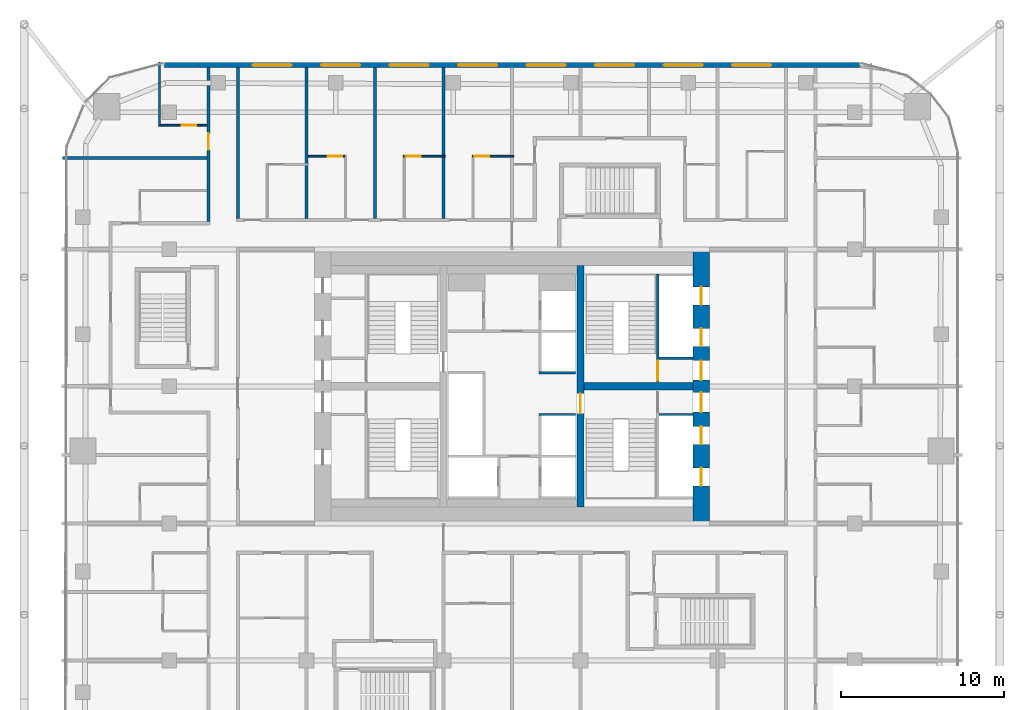
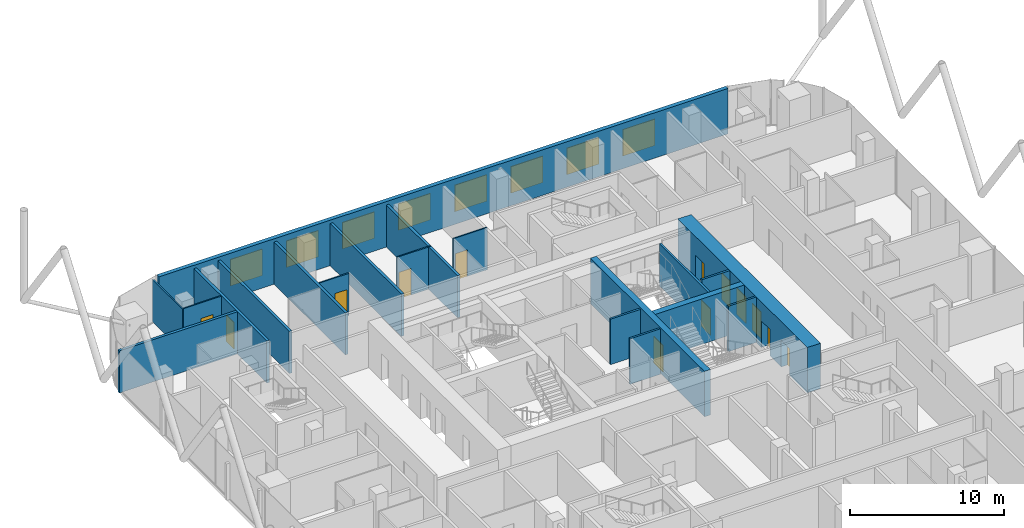
# One storey, part 29 of 33: 20 walls, 13 doors, 8 windows, 21 openings.
"""IFC4 building model written with IfcOpenShell, lengths in metres."""

from ifc_helpers import new_model, si_unit, direction, frame, frame_2d, origin, place, context, subcontext, project, spatial, rectangle, extrude, material, layer, layer_set, type_object, element, fill, save


model = new_model("IFC4")

# Units and contexts
model_context = context("Model", 3, precision=1e-05, world=origin(), true_north=direction((0.0, 1.0)))
body_context = subcontext(model_context, "Body", "Model", "MODEL_VIEW")
ifc_project = project(units=[si_unit("LENGTHUNIT", "METRE"), si_unit("AREAUNIT", "SQUARE_METRE"), si_unit("VOLUMEUNIT", "CUBIC_METRE"), si_unit("PLANEANGLEUNIT", "RADIAN"), si_unit("MASSUNIT", "GRAM", prefix="KILO")], contexts=[model_context])

# Site, building, storey
site_placement = place(None, origin())
site = spatial("IfcSite", under=ifc_project, at=site_placement, CompositionType="ELEMENT")
building_placement = place(site_placement, origin())
building = spatial("IfcBuilding", under=site, at=building_placement, Name="Marenta Gate Hotel Tower", CompositionType="ELEMENT")
storey_placement = place(building_placement, frame((0.0, 0.0, 122.89990234375)))
storey = spatial("IfcBuildingStorey", under=building, at=storey_placement, Name="L27", CompositionType="ELEMENT", Elevation=122.89990234375)

# Wall, openings, windows
ifc_material_1 = material(Name="Concrete C40 board-marked", Category="concrete")
ifc_layer_1 = layer(ifc_material_1, 0.300048828125)
ifc_layer_set_1 = layer_set([ifc_layer_1], Name="Concrete C40 board-marked")
wall_type_1 = type_object("IfcWallType", Name="Board-marked concrete wall 300 mm", PredefinedType="NOTDEFINED", material=ifc_layer_set_1)
wall_1_placement = place(storey_placement, frame((21.305908203125, 28.090087890625, 0.0), z_axis=(0.0, 0.0, 1.0), x_axis=(-1.0, 0.0, 0.0)))
wall_1 = element("IfcWall", 1, at=wall_1_placement, inside=storey, type_object=wall_type_1, Name="L27-CLD-N00", PredefinedType="NOTDEFINED", context=body_context, shape_type="SweptSolid", body=[
    extrude(rectangle(XDim=42.61181640625, YDim=0.300048828125, at=frame_2d((21.305908203125, 0.0))), origin(), (0.0, 0.0, 1.0), 3.60009765625),
])
opening_1_placement = place(wall_1_placement, frame((5.406005859375, 0.0, 0.89990234375)))
opening_1 = element("IfcOpeningElement", 2, at=opening_1_placement, cuts=wall_1, Name="Opening W1", PredefinedType="OPENING", context=body_context, shape_type="SweptSolid", body=[
    extrude(rectangle(XDim=2.39990234375, YDim=2.10009765625, at=frame_2d((1.199951171875, 1.050048828125))), frame((0.0, 0.14990234375, 0.0), z_axis=(0.0, -1.0, 0.0), x_axis=(1.0, 0.0, 0.0)), (0.0, 0.0, 1.0), 0.300048828125),
])
opening_2_placement = place(wall_1_placement, frame((9.60595703125, 0.0, 0.89990234375)))
opening_2 = element("IfcOpeningElement", 3, at=opening_2_placement, cuts=wall_1, Name="Opening W1", PredefinedType="OPENING", context=body_context, shape_type="SweptSolid", body=[
    extrude(rectangle(XDim=2.39990234375, YDim=2.10009765625, at=frame_2d((1.199951171875, 1.050048828125))), frame((0.0, 0.14990234375, 0.0), z_axis=(0.0, -1.0, 0.0), x_axis=(1.0, 0.0, 0.0)), (0.0, 0.0, 1.0), 0.300048828125),
])
opening_3_placement = place(wall_1_placement, frame((13.805908203125, 0.0, 0.89990234375)))
opening_3 = element("IfcOpeningElement", 4, at=opening_3_placement, cuts=wall_1, Name="Opening W1", PredefinedType="OPENING", context=body_context, shape_type="SweptSolid", body=[
    extrude(rectangle(XDim=2.39990234375, YDim=2.10009765625, at=frame_2d((1.199951171875, 1.050048828125))), frame((0.0, 0.14990234375, 0.0), z_axis=(0.0, -1.0, 0.0), x_axis=(1.0, 0.0, 0.0)), (0.0, 0.0, 1.0), 0.300048828125),
])
opening_4_placement = place(wall_1_placement, frame((18.005859375, 0.0, 0.89990234375)))
opening_4 = element("IfcOpeningElement", 5, at=opening_4_placement, cuts=wall_1, Name="Opening W1", PredefinedType="OPENING", context=body_context, shape_type="SweptSolid", body=[
    extrude(rectangle(XDim=2.39990234375, YDim=2.10009765625, at=frame_2d((1.199951171875, 1.050048828125))), frame((0.0, 0.14990234375, 0.0), z_axis=(0.0, -1.0, 0.0), x_axis=(1.0, 0.0, 0.0)), (0.0, 0.0, 1.0), 0.300048828125),
])
opening_5_placement = place(wall_1_placement, frame((22.205810546875, 0.0, 0.89990234375)))
opening_5 = element("IfcOpeningElement", 6, at=opening_5_placement, cuts=wall_1, Name="Opening W1", PredefinedType="OPENING", context=body_context, shape_type="SweptSolid", body=[
    extrude(rectangle(XDim=2.39990234375, YDim=2.10009765625, at=frame_2d((1.199951171875, 1.050048828125))), frame((0.0, 0.14990234375, 0.0), z_axis=(0.0, -1.0, 0.0), x_axis=(1.0, 0.0, 0.0)), (0.0, 0.0, 1.0), 0.300048828125),
])
opening_6_placement = place(wall_1_placement, frame((26.406005859375, 0.0, 0.89990234375)))
opening_6 = element("IfcOpeningElement", 7, at=opening_6_placement, cuts=wall_1, Name="Opening W1", PredefinedType="OPENING", context=body_context, shape_type="SweptSolid", body=[
    extrude(rectangle(XDim=2.39990234375, YDim=2.10009765625, at=frame_2d((1.199951171875, 1.050048828125))), frame((0.0, 0.14990234375, 0.0), z_axis=(0.0, -1.0, 0.0), x_axis=(1.0, 0.0, 0.0)), (0.0, 0.0, 1.0), 0.300048828125),
])
opening_7_placement = place(wall_1_placement, frame((30.60595703125, 0.0, 0.89990234375)))
opening_7 = element("IfcOpeningElement", 8, at=opening_7_placement, cuts=wall_1, Name="Opening W1", PredefinedType="OPENING", context=body_context, shape_type="SweptSolid", body=[
    extrude(rectangle(XDim=2.39990234375, YDim=2.10009765625, at=frame_2d((1.199951171875, 1.050048828125))), frame((0.0, 0.14990234375, 0.0), z_axis=(0.0, -1.0, 0.0), x_axis=(1.0, 0.0, 0.0)), (0.0, 0.0, 1.0), 0.300048828125),
])
opening_8_placement = place(wall_1_placement, frame((34.805908203125, 0.0, 0.89990234375)))
opening_8 = element("IfcOpeningElement", 9, at=opening_8_placement, cuts=wall_1, Name="Opening W1", PredefinedType="OPENING", context=body_context, shape_type="SweptSolid", body=[
    extrude(rectangle(XDim=2.39990234375, YDim=2.10009765625, at=frame_2d((1.199951171875, 1.050048828125))), frame((0.0, 0.14990234375, 0.0), z_axis=(0.0, -1.0, 0.0), x_axis=(1.0, 0.0, 0.0)), (0.0, 0.0, 1.0), 0.300048828125),
])
ifc_material_2 = material(Name="Tinted insulated glass in bronze anodised frame", Category="glass")
window_type = type_object("IfcWindowType", Name="Window W1 2400x2100 bronze frame", PartitioningType="SINGLE_PANEL", PredefinedType="WINDOW", material=ifc_material_2)
window_1_placement = place(opening_1_placement, origin())
window_1 = element("IfcWindow", 10, at=window_1_placement, inside=storey, type_object=window_type, Name="Window W1", OverallHeight=2.10009765625, OverallWidth=2.39990234375, PartitioningType="SINGLE_PANEL", PredefinedType="WINDOW", context=body_context, shape_type="SweptSolid", body=[
    extrude(rectangle(XDim=2.39990234375, YDim=2.10009765625, at=frame_2d((1.199951171875, 1.050048828125))), frame((0.0, 0.030029296875, 0.0), z_axis=(0.0, -1.0, 0.0), x_axis=(1.0, 0.0, 0.0)), (0.0, 0.0, 1.0), 0.06005859375),
])
fill(opening_1, window_1)
window_2_placement = place(opening_2_placement, origin())
window_2 = element("IfcWindow", 11, at=window_2_placement, inside=storey, type_object=window_type, Name="Window W1", OverallHeight=2.10009765625, OverallWidth=2.39990234375, PartitioningType="SINGLE_PANEL", PredefinedType="WINDOW", context=body_context, shape_type="SweptSolid", body=[
    extrude(rectangle(XDim=2.39990234375, YDim=2.10009765625, at=frame_2d((1.199951171875, 1.050048828125))), frame((0.0, 0.030029296875, 0.0), z_axis=(0.0, -1.0, 0.0), x_axis=(1.0, 0.0, 0.0)), (0.0, 0.0, 1.0), 0.06005859375),
])
fill(opening_2, window_2)
window_3_placement = place(opening_3_placement, origin())
window_3 = element("IfcWindow", 12, at=window_3_placement, inside=storey, type_object=window_type, Name="Window W1", OverallHeight=2.10009765625, OverallWidth=2.39990234375, PartitioningType="SINGLE_PANEL", PredefinedType="WINDOW", context=body_context, shape_type="SweptSolid", body=[
    extrude(rectangle(XDim=2.39990234375, YDim=2.10009765625, at=frame_2d((1.199951171875, 1.050048828125))), frame((0.0, 0.030029296875, 0.0), z_axis=(0.0, -1.0, 0.0), x_axis=(1.0, 0.0, 0.0)), (0.0, 0.0, 1.0), 0.06005859375),
])
fill(opening_3, window_3)
window_4_placement = place(opening_4_placement, origin())
window_4 = element("IfcWindow", 13, at=window_4_placement, inside=storey, type_object=window_type, Name="Window W1", OverallHeight=2.10009765625, OverallWidth=2.39990234375, PartitioningType="SINGLE_PANEL", PredefinedType="WINDOW", context=body_context, shape_type="SweptSolid", body=[
    extrude(rectangle(XDim=2.39990234375, YDim=2.10009765625, at=frame_2d((1.199951171875, 1.050048828125))), frame((0.0, 0.030029296875, 0.0), z_axis=(0.0, -1.0, 0.0), x_axis=(1.0, 0.0, 0.0)), (0.0, 0.0, 1.0), 0.06005859375),
])
fill(opening_4, window_4)
window_5_placement = place(opening_5_placement, origin())
window_5 = element("IfcWindow", 14, at=window_5_placement, inside=storey, type_object=window_type, Name="Window W1", OverallHeight=2.10009765625, OverallWidth=2.39990234375, PartitioningType="SINGLE_PANEL", PredefinedType="WINDOW", context=body_context, shape_type="SweptSolid", body=[
    extrude(rectangle(XDim=2.39990234375, YDim=2.10009765625, at=frame_2d((1.199951171875, 1.050048828125))), frame((0.0, 0.030029296875, 0.0), z_axis=(0.0, -1.0, 0.0), x_axis=(1.0, 0.0, 0.0)), (0.0, 0.0, 1.0), 0.06005859375),
])
fill(opening_5, window_5)
window_6_placement = place(opening_6_placement, origin())
window_6 = element("IfcWindow", 15, at=window_6_placement, inside=storey, type_object=window_type, Name="Window W1", OverallHeight=2.10009765625, OverallWidth=2.39990234375, PartitioningType="SINGLE_PANEL", PredefinedType="WINDOW", context=body_context, shape_type="SweptSolid", body=[
    extrude(rectangle(XDim=2.39990234375, YDim=2.10009765625, at=frame_2d((1.199951171875, 1.050048828125))), frame((0.0, 0.030029296875, 0.0), z_axis=(0.0, -1.0, 0.0), x_axis=(1.0, 0.0, 0.0)), (0.0, 0.0, 1.0), 0.06005859375),
])
fill(opening_6, window_6)
window_7_placement = place(opening_7_placement, origin())
window_7 = element("IfcWindow", 16, at=window_7_placement, inside=storey, type_object=window_type, Name="Window W1", OverallHeight=2.10009765625, OverallWidth=2.39990234375, PartitioningType="SINGLE_PANEL", PredefinedType="WINDOW", context=body_context, shape_type="SweptSolid", body=[
    extrude(rectangle(XDim=2.39990234375, YDim=2.10009765625, at=frame_2d((1.199951171875, 1.050048828125))), frame((0.0, 0.030029296875, 0.0), z_axis=(0.0, -1.0, 0.0), x_axis=(1.0, 0.0, 0.0)), (0.0, 0.0, 1.0), 0.06005859375),
])
fill(opening_7, window_7)
window_8_placement = place(opening_8_placement, origin())
window_8 = element("IfcWindow", 17, at=window_8_placement, inside=storey, type_object=window_type, Name="Window W1", OverallHeight=2.10009765625, OverallWidth=2.39990234375, PartitioningType="SINGLE_PANEL", PredefinedType="WINDOW", context=body_context, shape_type="SweptSolid", body=[
    extrude(rectangle(XDim=2.39990234375, YDim=2.10009765625, at=frame_2d((1.199951171875, 1.050048828125))), frame((0.0, 0.030029296875, 0.0), z_axis=(0.0, -1.0, 0.0), x_axis=(1.0, 0.0, 0.0)), (0.0, 0.0, 1.0), 0.06005859375),
])
fill(opening_8, window_8)

# Walls
ifc_material_3 = material(Name="Concrete C40", Category="concrete")
ifc_layer_2 = layer(ifc_material_3, 0.14990234375)
ifc_layer_set_2 = layer_set([ifc_layer_2], Name="Concrete C40")
wall_type_2 = type_object("IfcWallType", Name="Core shaft wall 150 REI 180", PredefinedType="SHEAR", material=ifc_layer_set_2)
for number, where, z_axis, x_axis, name in (
    (18, (9.0, 6.675048828125, 0.0), (0.0, 0.0, 1.0), (1.0, 0.0, 0.0), "L27-SHF-SW-ES-2"),
    (19, (9.0, 10.125, 0.0), (0.0, 0.0, 1.0), (1.0, 0.0, 0.0), "L27-SHF-SW-EN-2"),
):
    element("IfcWall", number, at=place(storey_placement, frame(where, z_axis=z_axis, x_axis=x_axis)), inside=storey, type_object=wall_type_2, Name=name, PredefinedType="SHEAR", context=body_context, shape_type="SweptSolid", body=[
        extrude(rectangle(XDim=2.10009765625, YDim=0.14990234375, at=frame_2d((1.050048828125, 0.0))), origin(), (0.0, 0.0, 1.0), 3.60009765625),
    ])
for number, where, z_axis, x_axis, name in (
    (20, (1.64990234375, 6.675048828125, 0.0), (0.0, 0.0, 1.0), (1.0, 0.0, 0.0), "L27-SHF-CE-sep1"),
    (21, (1.64990234375, 9.22509765625, 0.0), (0.0, 0.0, 1.0), (1.0, 0.0, 0.0), "L27-SHF-CE-sep2"),
):
    element("IfcWall", number, at=place(storey_placement, frame(where, z_axis=z_axis, x_axis=x_axis)), inside=storey, type_object=wall_type_2, Name=name, PredefinedType="SHEAR", context=body_context, shape_type="SweptSolid", body=[
        extrude(rectangle(XDim=2.25, YDim=0.14990234375, at=frame_2d((1.125, 0.0))), origin(), (0.0, 0.0, 1.0), 3.60009765625),
    ])

# Wall, opening, door
ifc_material_4 = material(Name="Concrete C40", Category="concrete")
ifc_layer_3 = layer(ifc_material_4, 0.14990234375)
ifc_layer_set_3 = layer_set([ifc_layer_3], Name="Concrete C40")
wall_type_3 = type_object("IfcWallType", Name="Core stair enclosure wall 150 REI 180", PredefinedType="SHEAR", material=ifc_layer_set_3)
wall_2_placement = place(storey_placement, frame((8.925048828125, 8.699951171875, 0.0), z_axis=(0.0, 0.0, 1.0), x_axis=(0.0, 1.0, 0.0)))
wall_2 = element("IfcWall", 22, at=wall_2_placement, inside=storey, type_object=wall_type_3, Name="L27-SHF-SW-EN-3", PredefinedType="SHEAR", context=body_context, shape_type="SweptSolid", body=[
    extrude(rectangle(XDim=6.60009765625, YDim=0.14990234375, at=frame_2d((3.300048828125, 0.0))), origin(), (0.0, 0.0, 1.0), 3.340087890625),
])
opening_9_placement = place(wall_2_placement, frame((0.074951171875, 0.0, 0.0)))
opening_9 = element("IfcOpeningElement", 23, at=opening_9_placement, cuts=wall_2, Name="Opening SD-EN", PredefinedType="OPENING", context=body_context, shape_type="SweptSolid", body=[
    extrude(rectangle(XDim=1.199951171875, YDim=2.10009765625, at=frame_2d((0.60009765625, 1.050048828125))), frame((0.0, 0.074951171875, 0.0), z_axis=(0.0, -1.0, 0.0), x_axis=(1.0, 0.0, 0.0)), (0.0, 0.0, 1.0), 0.14990234375),
])
ifc_material_5 = material(Name="Steel", Category="steel")
door_type_1 = type_object("IfcDoorType", Name="Core stair door 1200x2100 FD60", OperationType="SINGLE_SWING_LEFT", PredefinedType="DOOR", material=ifc_material_5)
door_1_placement = place(opening_9_placement, origin())
door_1 = element("IfcDoor", 24, at=door_1_placement, inside=storey, type_object=door_type_1, Name="SD-EN", OperationType="SINGLE_SWING_LEFT", OverallHeight=2.10009765625, OverallWidth=1.199951171875, PredefinedType="DOOR", context=body_context, shape_type="SweptSolid", body=[
    extrude(rectangle(XDim=1.199951171875, YDim=2.10009765625, at=frame_2d((0.60009765625, 1.050048828125))), frame((0.0, 0.02490234375, 0.0), z_axis=(0.0, -1.0, 0.0), x_axis=(1.0, 0.0, 0.0)), (0.0, 0.0, 1.0), 0.050048828125),
])
fill(opening_9, door_1)

# Wall, openings, doors
ifc_material_6 = material(Name="Concrete C70", Category="concrete")
ifc_layer_4 = layer(ifc_material_6, 1.0)
ifc_layer_set_4 = layer_set([ifc_layer_4], Name="Concrete C70")
wall_type_4 = type_object("IfcWallType", Name="Core wall 1000 C70", PredefinedType="SHEAR", material=ifc_layer_set_4)
wall_3_placement = place(storey_placement, frame((11.60009765625, 0.0, 0.0), z_axis=(0.0, 0.0, 1.0), x_axis=(0.0, 1.0, 0.0)))
wall_3 = element("IfcWall", 25, at=wall_3_placement, inside=storey, type_object=wall_type_4, Name="L27-CORE-E", PredefinedType="SHEAR", context=body_context, shape_type="SweptSolid", body=[
    extrude(rectangle(XDim=16.800048828125, YDim=1.0, at=frame_2d((8.39990234375, 0.0))), origin(), (0.0, 0.0, 1.0), 3.60009765625),
])
opening_10_placement = place(wall_3_placement, frame((2.300048828125, 0.0, 0.0)))
opening_10 = element("IfcOpeningElement", 26, at=opening_10_placement, cuts=wall_3, Name="Opening LD-HR1", PredefinedType="OPENING", context=body_context, shape_type="SweptSolid", body=[
    extrude(rectangle(XDim=1.10009765625, YDim=2.10009765625, at=frame_2d((0.550048828125, 1.050048828125))), frame((0.0, 0.5, 0.0), z_axis=(0.0, -1.0, 0.0), x_axis=(1.0, 0.0, 0.0)), (0.0, 0.0, 1.0), 1.0),
])
opening_11_placement = place(wall_3_placement, frame((4.85009765625, 0.0, 0.0)))
opening_11 = element("IfcOpeningElement", 27, at=opening_11_placement, cuts=wall_3, Name="Opening LD-HR2", PredefinedType="OPENING", context=body_context, shape_type="SweptSolid", body=[
    extrude(rectangle(XDim=1.10009765625, YDim=2.10009765625, at=frame_2d((0.550048828125, 1.050048828125))), frame((0.0, 0.5, 0.0), z_axis=(0.0, -1.0, 0.0), x_axis=(1.0, 0.0, 0.0)), (0.0, 0.0, 1.0), 1.0),
])
opening_12_placement = place(wall_3_placement, frame((6.824951171875, 0.0, 0.0)))
opening_12 = element("IfcOpeningElement", 28, at=opening_12_placement, cuts=wall_3, Name="Opening PD-ES", PredefinedType="OPENING", context=body_context, shape_type="SweptSolid", body=[
    extrude(rectangle(XDim=1.199951171875, YDim=2.10009765625, at=frame_2d((0.60009765625, 1.050048828125))), frame((0.0, 0.5, 0.0), z_axis=(0.0, -1.0, 0.0), x_axis=(1.0, 0.0, 0.0)), (0.0, 0.0, 1.0), 1.0),
])
opening_13_placement = place(wall_3_placement, frame((13.39990234375, 0.0, 0.0)))
opening_13 = element("IfcOpeningElement", 29, at=opening_13_placement, cuts=wall_3, Name="Opening LD-HR4", PredefinedType="OPENING", context=body_context, shape_type="SweptSolid", body=[
    extrude(rectangle(XDim=1.10009765625, YDim=2.10009765625, at=frame_2d((0.550048828125, 1.050048828125))), frame((0.0, 0.5, 0.0), z_axis=(0.0, -1.0, 0.0), x_axis=(1.0, 0.0, 0.0)), (0.0, 0.0, 1.0), 1.0),
])
opening_14_placement = place(wall_3_placement, frame((10.85009765625, 0.0, 0.0)))
opening_14 = element("IfcOpeningElement", 30, at=opening_14_placement, cuts=wall_3, Name="Opening LD-HR3", PredefinedType="OPENING", context=body_context, shape_type="SweptSolid", body=[
    extrude(rectangle(XDim=1.10009765625, YDim=2.10009765625, at=frame_2d((0.550048828125, 1.050048828125))), frame((0.0, 0.5, 0.0), z_axis=(0.0, -1.0, 0.0), x_axis=(1.0, 0.0, 0.0)), (0.0, 0.0, 1.0), 1.0),
])
opening_15_placement = place(wall_3_placement, frame((8.77490234375, 0.0, 0.0)))
opening_15 = element("IfcOpeningElement", 31, at=opening_15_placement, cuts=wall_3, Name="Opening PD-EN", PredefinedType="OPENING", context=body_context, shape_type="SweptSolid", body=[
    extrude(rectangle(XDim=1.199951171875, YDim=2.10009765625, at=frame_2d((0.60009765625, 1.050048828125))), frame((0.0, 0.5, 0.0), z_axis=(0.0, -1.0, 0.0), x_axis=(1.0, 0.0, 0.0)), (0.0, 0.0, 1.0), 1.0),
])
ifc_material_7 = material(Name="Steel", Category="steel")
door_type_2 = type_object("IfcDoorType", Name="Core lift landing door 1100x2100 E 60", OperationType="SLIDING_TO_LEFT", PredefinedType="DOOR", material=ifc_material_7)
door_2_placement = place(opening_10_placement, origin())
door_2 = element("IfcDoor", 32, at=door_2_placement, inside=storey, type_object=door_type_2, Name="LD-HR1", OperationType="SLIDING_TO_LEFT", OverallHeight=2.10009765625, OverallWidth=1.10009765625, PredefinedType="DOOR", context=body_context, shape_type="SweptSolid", body=[
    extrude(rectangle(XDim=1.10009765625, YDim=2.10009765625, at=frame_2d((0.550048828125, 1.050048828125))), frame((0.0, 0.02490234375, 0.0), z_axis=(0.0, -1.0, 0.0), x_axis=(1.0, 0.0, 0.0)), (0.0, 0.0, 1.0), 0.050048828125),
])
fill(opening_10, door_2)
door_3_placement = place(opening_11_placement, origin())
door_3 = element("IfcDoor", 33, at=door_3_placement, inside=storey, type_object=door_type_2, Name="LD-HR2", OperationType="SLIDING_TO_LEFT", OverallHeight=2.10009765625, OverallWidth=1.10009765625, PredefinedType="DOOR", context=body_context, shape_type="SweptSolid", body=[
    extrude(rectangle(XDim=1.10009765625, YDim=2.10009765625, at=frame_2d((0.550048828125, 1.050048828125))), frame((0.0, 0.02490234375, 0.0), z_axis=(0.0, -1.0, 0.0), x_axis=(1.0, 0.0, 0.0)), (0.0, 0.0, 1.0), 0.050048828125),
])
fill(opening_11, door_3)
door_4_placement = place(opening_13_placement, origin())
door_4 = element("IfcDoor", 34, at=door_4_placement, inside=storey, type_object=door_type_2, Name="LD-HR4", OperationType="SLIDING_TO_LEFT", OverallHeight=2.10009765625, OverallWidth=1.10009765625, PredefinedType="DOOR", context=body_context, shape_type="SweptSolid", body=[
    extrude(rectangle(XDim=1.10009765625, YDim=2.10009765625, at=frame_2d((0.550048828125, 1.050048828125))), frame((0.0, 0.02490234375, 0.0), z_axis=(0.0, -1.0, 0.0), x_axis=(1.0, 0.0, 0.0)), (0.0, 0.0, 1.0), 0.050048828125),
])
fill(opening_13, door_4)
door_5_placement = place(opening_14_placement, origin())
door_5 = element("IfcDoor", 35, at=door_5_placement, inside=storey, type_object=door_type_2, Name="LD-HR3", OperationType="SLIDING_TO_LEFT", OverallHeight=2.10009765625, OverallWidth=1.10009765625, PredefinedType="DOOR", context=body_context, shape_type="SweptSolid", body=[
    extrude(rectangle(XDim=1.10009765625, YDim=2.10009765625, at=frame_2d((0.550048828125, 1.050048828125))), frame((0.0, 0.02490234375, 0.0), z_axis=(0.0, -1.0, 0.0), x_axis=(1.0, 0.0, 0.0)), (0.0, 0.0, 1.0), 0.050048828125),
])
fill(opening_14, door_5)
ifc_material_8 = material(Name="Steel", Category="steel")
door_type_3 = type_object("IfcDoorType", Name="Core lobby door 1200x2100 FD60", OperationType="SINGLE_SWING_LEFT", PredefinedType="DOOR", material=ifc_material_8)
door_6_placement = place(opening_12_placement, origin())
door_6 = element("IfcDoor", 36, at=door_6_placement, inside=storey, type_object=door_type_3, Name="PD-ES", OperationType="SINGLE_SWING_LEFT", OverallHeight=2.10009765625, OverallWidth=1.199951171875, PredefinedType="DOOR", context=body_context, shape_type="SweptSolid", body=[
    extrude(rectangle(XDim=1.199951171875, YDim=2.10009765625, at=frame_2d((0.60009765625, 1.050048828125))), frame((0.0, 0.02490234375, 0.0), z_axis=(0.0, -1.0, 0.0), x_axis=(1.0, 0.0, 0.0)), (0.0, 0.0, 1.0), 0.050048828125),
])
fill(opening_12, door_6)
door_7_placement = place(opening_15_placement, origin())
door_7 = element("IfcDoor", 37, at=door_7_placement, inside=storey, type_object=door_type_3, Name="PD-EN", OperationType="SINGLE_SWING_LEFT", OverallHeight=2.10009765625, OverallWidth=1.199951171875, PredefinedType="DOOR", context=body_context, shape_type="SweptSolid", body=[
    extrude(rectangle(XDim=1.199951171875, YDim=2.10009765625, at=frame_2d((0.60009765625, 1.050048828125))), frame((0.0, 0.02490234375, 0.0), z_axis=(0.0, -1.0, 0.0), x_axis=(1.0, 0.0, 0.0)), (0.0, 0.0, 1.0), 0.050048828125),
])
fill(opening_15, door_7)

# Wall, opening, door
ifc_material_9 = material(Name="Concrete C70", Category="concrete")
ifc_layer_5 = layer(ifc_material_9, 0.449951171875)
ifc_layer_set_5 = layer_set([ifc_layer_5], Name="Concrete C70")
wall_type_5 = type_object("IfcWallType", Name="Core web 450 C70", PredefinedType="SHEAR", material=ifc_layer_set_5)
wall_4_placement = place(storey_placement, frame((4.199951171875, 1.0, 0.0), z_axis=(0.0, 0.0, 1.0), x_axis=(0.0, 1.0, 0.0)))
wall_4 = element("IfcWall", 38, at=wall_4_placement, inside=storey, type_object=wall_type_5, Name="L27-CORE-W2", PredefinedType="SHEAR", context=body_context, shape_type="SweptSolid", body=[
    extrude(rectangle(XDim=14.800048828125, YDim=0.449951171875, at=frame_2d((7.39990234375, 0.0))), origin(), (0.0, 0.0, 1.0), 3.60009765625),
])
opening_16_placement = place(wall_4_placement, frame((5.75, 0.0, 0.0)))
opening_16 = element("IfcOpeningElement", 39, at=opening_16_placement, cuts=wall_4, Name="Opening WD-E", PredefinedType="OPENING", context=body_context, shape_type="SweptSolid", body=[
    extrude(rectangle(XDim=1.199951171875, YDim=2.10009765625, at=frame_2d((0.60009765625, 1.050048828125))), frame((0.0, 0.22509765625, 0.0), z_axis=(0.0, -1.0, 0.0), x_axis=(1.0, 0.0, 0.0)), (0.0, 0.0, 1.0), 0.449951171875),
])
door_8_placement = place(opening_16_placement, origin())
door_8 = element("IfcDoor", 40, at=door_8_placement, inside=storey, type_object=door_type_1, Name="WD-E", OperationType="SINGLE_SWING_LEFT", OverallHeight=2.10009765625, OverallWidth=1.199951171875, PredefinedType="DOOR", context=body_context, shape_type="SweptSolid", body=[
    extrude(rectangle(XDim=1.199951171875, YDim=2.10009765625, at=frame_2d((0.60009765625, 1.050048828125))), frame((0.0, 0.02490234375, 0.0), z_axis=(0.0, -1.0, 0.0), x_axis=(1.0, 0.0, 0.0)), (0.0, 0.0, 1.0), 0.050048828125),
])
fill(opening_16, door_8)

# Walls
wall_5_placement = place(storey_placement, frame((4.425048828125, 8.39990234375, 0.0), z_axis=(0.0, 0.0, 1.0), x_axis=(1.0, 0.0, 0.0)))
element("IfcWall", 41, at=wall_5_placement, inside=storey, type_object=wall_type_5, Name="L27-CORE-W4", PredefinedType="SHEAR", context=body_context, shape_type="SweptSolid", body=[
    extrude(rectangle(XDim=6.675048828125, YDim=0.449951171875, at=frame_2d((3.33740234375, 0.0))), origin(), (0.0, 0.0, 1.0), 3.60009765625),
])
ifc_material_10 = material(Name="Gypsum board on steel stud", Category="steel")
ifc_layer_6 = layer(ifc_material_10, 0.199951171875)
ifc_layer_set_6 = layer_set([ifc_layer_6], Name="Gypsum board on steel stud")
wall_type_6 = type_object("IfcWallType", Name="Room corridor wall 200 EI 60", PredefinedType="PARTITIONING", material=ifc_layer_set_6)
wall_6_placement = place(storey_placement, frame((-16.800048828125, 18.699951171875, 0.0), z_axis=(0.0, 0.0, 1.0), x_axis=(0.0, 1.0, 0.0)))
element("IfcWall", 42, at=wall_6_placement, inside=storey, type_object=wall_type_6, Name="L27-PTN-W099", PredefinedType="PARTITIONING", context=body_context, shape_type="SweptSolid", body=[
    extrude(rectangle(XDim=9.239990234375, YDim=0.199951171875, at=frame_2d((4.6201171875, 0.0))), origin(), (0.0, 0.0, 1.0), 3.340087890625),
])

# Wall, opening, door
wall_7_placement = place(storey_placement, frame((-18.60009765625, 18.5, 0.0), z_axis=(0.0, 0.0, 1.0), x_axis=(0.0, 1.0, 0.0)))
wall_7 = element("IfcWall", 43, at=wall_7_placement, inside=storey, type_object=wall_type_6, Name="L27-PTN-W105", PredefinedType="PARTITIONING", context=body_context, shape_type="SweptSolid", body=[
    extrude(rectangle(XDim=9.43994140625, YDim=0.199951171875, at=frame_2d((4.719970703125, 0.0))), origin(), (0.0, 0.0, 1.0), 3.340087890625),
])
opening_17_placement = place(wall_7_placement, frame((4.39990234375, 0.0, 0.0)))
opening_17 = element("IfcOpeningElement", 44, at=opening_17_placement, cuts=wall_7, Name="Opening G09-66", PredefinedType="OPENING", context=body_context, shape_type="SweptSolid", body=[
    extrude(rectangle(XDim=1.0, YDim=2.10009765625, at=frame_2d((0.5, 1.050048828125))), frame((0.0, 0.10009765625, 0.0), z_axis=(0.0, -1.0, 0.0), x_axis=(1.0, 0.0, 0.0)), (0.0, 0.0, 1.0), 0.199951171875),
])
ifc_material_11 = material(Name="Timber door leaf", Category="wood")
door_type_4 = type_object("IfcDoorType", Name="Guest room door 1000x2100 EI 30", OperationType="NOTDEFINED", PredefinedType="DOOR", material=ifc_material_11)
door_9_placement = place(opening_17_placement, origin())
door_9 = element("IfcDoor", 45, at=door_9_placement, inside=storey, type_object=door_type_4, Name="L27-PD-D066", OperationType="SINGLE_SWING_LEFT", OverallHeight=2.10009765625, OverallWidth=1.0, PredefinedType="DOOR", context=body_context, shape_type="SweptSolid", body=[
    extrude(rectangle(XDim=1.0, YDim=2.10009765625, at=frame_2d((0.5, 1.050048828125))), frame((0.0, 0.02490234375, 0.0), z_axis=(0.0, -1.0, 0.0), x_axis=(1.0, 0.0, 0.0)), (0.0, 0.0, 1.0), 0.050048828125),
])
fill(opening_17, door_9)

# Wall
ifc_material_12 = material(Name="Gypsum board on steel stud", Category="steel")
ifc_layer_7 = layer(ifc_material_12, 0.10009765625)
ifc_layer_set_7 = layer_set([ifc_layer_7], Name="Gypsum board on steel stud")
wall_type_7 = type_object("IfcWallType", Name="Room partition 100", PredefinedType="PARTITIONING", material=ifc_layer_set_7)
wall_8_placement = place(storey_placement, frame((-21.60009765625, 24.35009765625, 0.0), z_axis=(0.0, 0.0, 1.0), x_axis=(0.0, 1.0, 0.0)))
element("IfcWall", 46, at=wall_8_placement, inside=storey, type_object=wall_type_7, Name="L27-PTN-W112", PredefinedType="PARTITIONING", context=body_context, shape_type="SweptSolid", body=[
    extrude(rectangle(XDim=3.910888671875, YDim=0.10009765625, at=frame_2d((1.95556640625, 0.0))), origin(), (0.0, 0.0, 1.0), 3.340087890625),
])

# Wall, opening, door
wall_9_placement = place(storey_placement, frame((-12.5, 22.5, 0.0), z_axis=(0.0, 0.0, 1.0), x_axis=(1.0, 0.0, 0.0)))
wall_9 = element("IfcWall", 47, at=wall_9_placement, inside=storey, type_object=wall_type_7, Name="L27-PTN-W119", PredefinedType="PARTITIONING", context=body_context, shape_type="SweptSolid", body=[
    extrude(rectangle(XDim=2.25, YDim=0.10009765625, at=frame_2d((1.125, 0.0))), origin(), (0.0, 0.0, 1.0), 3.340087890625),
])
opening_18_placement = place(wall_9_placement, frame((1.199951171875, 0.0, 0.0)))
opening_18 = element("IfcOpeningElement", 48, at=opening_18_placement, cuts=wall_9, Name="Opening G09-29", PredefinedType="OPENING", context=body_context, shape_type="SweptSolid", body=[
    extrude(rectangle(XDim=0.89990234375, YDim=2.10009765625, at=frame_2d((0.449951171875, 1.050048828125))), frame((0.0, 0.050048828125, 0.0), z_axis=(0.0, -1.0, 0.0), x_axis=(1.0, 0.0, 0.0)), (0.0, 0.0, 1.0), 0.10009765625),
])
ifc_material_13 = material(Name="Timber door leaf", Category="wood")
door_type_5 = type_object("IfcDoorType", Name="Guest bathroom door 900x2100", OperationType="NOTDEFINED", PredefinedType="DOOR", material=ifc_material_13)
door_10_placement = place(opening_18_placement, origin())
door_10 = element("IfcDoor", 49, at=door_10_placement, inside=storey, type_object=door_type_5, Name="L27-PD-D029", OperationType="SINGLE_SWING_LEFT", OverallHeight=2.10009765625, OverallWidth=0.89990234375, PredefinedType="DOOR", context=body_context, shape_type="SweptSolid", body=[
    extrude(rectangle(XDim=0.89990234375, YDim=2.10009765625, at=frame_2d((0.449951171875, 1.050048828125))), frame((0.0, 0.02490234375, 0.0), z_axis=(0.0, -1.0, 0.0), x_axis=(1.0, 0.0, 0.0)), (0.0, 0.0, 1.0), 0.050048828125),
])
fill(opening_18, door_10)

wall_10_placement = place(storey_placement, frame((-6.64990234375, 22.5, 0.0), z_axis=(0.0, 0.0, 1.0), x_axis=(1.0, 0.0, 0.0)))
wall_10 = element("IfcWall", 50, at=wall_10_placement, inside=storey, type_object=wall_type_7, Name="L27-PTN-W120", PredefinedType="PARTITIONING", context=body_context, shape_type="SweptSolid", body=[
    extrude(rectangle(XDim=2.5498046875, YDim=0.10009765625, at=frame_2d((1.27490234375, 0.0))), origin(), (0.0, 0.0, 1.0), 3.340087890625),
])
opening_19_placement = place(wall_10_placement, frame((0.14990234375, 0.0, 0.0)))
opening_19 = element("IfcOpeningElement", 51, at=opening_19_placement, cuts=wall_10, Name="Opening G09-31", PredefinedType="OPENING", context=body_context, shape_type="SweptSolid", body=[
    extrude(rectangle(XDim=0.89990234375, YDim=2.10009765625, at=frame_2d((0.449951171875, 1.050048828125))), frame((0.0, 0.050048828125, 0.0), z_axis=(0.0, -1.0, 0.0), x_axis=(1.0, 0.0, 0.0)), (0.0, 0.0, 1.0), 0.10009765625),
])
door_11_placement = place(opening_19_placement, origin())
door_11 = element("IfcDoor", 52, at=door_11_placement, inside=storey, type_object=door_type_5, Name="L27-PD-D031", OperationType="SINGLE_SWING_RIGHT", OverallHeight=2.10009765625, OverallWidth=0.89990234375, PredefinedType="DOOR", context=body_context, shape_type="SweptSolid", body=[
    extrude(rectangle(XDim=0.89990234375, YDim=2.10009765625, at=frame_2d((0.449951171875, 1.050048828125))), frame((0.0, 0.02490234375, 0.0), z_axis=(0.0, -1.0, 0.0), x_axis=(1.0, 0.0, 0.0)), (0.0, 0.0, 1.0), 0.050048828125),
])
fill(opening_19, door_11)

wall_11_placement = place(storey_placement, frame((-2.449951171875, 22.5, 0.0), z_axis=(0.0, 0.0, 1.0), x_axis=(1.0, 0.0, 0.0)))
wall_11 = element("IfcWall", 53, at=wall_11_placement, inside=storey, type_object=wall_type_7, Name="L27-PTN-W121", PredefinedType="PARTITIONING", context=body_context, shape_type="SweptSolid", body=[
    extrude(rectangle(XDim=2.550048828125, YDim=0.10009765625, at=frame_2d((1.27490234375, 0.0))), origin(), (0.0, 0.0, 1.0), 3.340087890625),
])
opening_20_placement = place(wall_11_placement, frame((0.14990234375, 0.0, 0.0)))
opening_20 = element("IfcOpeningElement", 54, at=opening_20_placement, cuts=wall_11, Name="Opening G09-33", PredefinedType="OPENING", context=body_context, shape_type="SweptSolid", body=[
    extrude(rectangle(XDim=0.89990234375, YDim=2.10009765625, at=frame_2d((0.449951171875, 1.050048828125))), frame((0.0, 0.050048828125, 0.0), z_axis=(0.0, -1.0, 0.0), x_axis=(1.0, 0.0, 0.0)), (0.0, 0.0, 1.0), 0.10009765625),
])
door_12_placement = place(opening_20_placement, origin())
door_12 = element("IfcDoor", 55, at=door_12_placement, inside=storey, type_object=door_type_5, Name="L27-PD-D033", OperationType="SINGLE_SWING_RIGHT", OverallHeight=2.10009765625, OverallWidth=0.89990234375, PredefinedType="DOOR", context=body_context, shape_type="SweptSolid", body=[
    extrude(rectangle(XDim=0.89990234375, YDim=2.10009765625, at=frame_2d((0.449951171875, 1.050048828125))), frame((0.0, 0.02490234375, 0.0), z_axis=(0.0, -1.0, 0.0), x_axis=(1.0, 0.0, 0.0)), (0.0, 0.0, 1.0), 0.050048828125),
])
fill(opening_20, door_12)

wall_12_placement = place(storey_placement, frame((-21.550048828125, 24.39990234375, 0.0), z_axis=(0.0, 0.0, 1.0), x_axis=(1.0, 0.0, 0.0)))
wall_12 = element("IfcWall", 56, at=wall_12_placement, inside=storey, type_object=wall_type_7, Name="L27-PTN-W126", PredefinedType="PARTITIONING", context=body_context, shape_type="SweptSolid", body=[
    extrude(rectangle(XDim=2.85009765625, YDim=0.10009765625, at=frame_2d((1.425048828125, 0.0))), origin(), (0.0, 0.0, 1.0), 3.340087890625),
])
opening_21_placement = place(wall_12_placement, frame((1.300048828125, 0.0, 0.0)))
opening_21 = element("IfcOpeningElement", 57, at=opening_21_placement, cuts=wall_12, Name="Opening G09-67", PredefinedType="OPENING", context=body_context, shape_type="SweptSolid", body=[
    extrude(rectangle(XDim=0.89990234375, YDim=2.10009765625, at=frame_2d((0.449951171875, 1.050048828125))), frame((0.0, 0.050048828125, 0.0), z_axis=(0.0, -1.0, 0.0), x_axis=(1.0, 0.0, 0.0)), (0.0, 0.0, 1.0), 0.10009765625),
])
door_13_placement = place(opening_21_placement, origin())
door_13 = element("IfcDoor", 58, at=door_13_placement, inside=storey, type_object=door_type_5, Name="L27-PD-D067", OperationType="SINGLE_SWING_LEFT", OverallHeight=2.10009765625, OverallWidth=0.89990234375, PredefinedType="DOOR", context=body_context, shape_type="SweptSolid", body=[
    extrude(rectangle(XDim=0.89990234375, YDim=2.10009765625, at=frame_2d((0.449951171875, 1.050048828125))), frame((0.0, 0.02490234375, 0.0), z_axis=(0.0, -1.0, 0.0), x_axis=(1.0, 0.0, 0.0)), (0.0, 0.0, 1.0), 0.050048828125),
])
fill(opening_21, door_13)

# Walls
ifc_material_14 = material(Name="Gypsum board on steel stud", Category="steel")
ifc_layer_8 = layer(ifc_material_14, 0.199951171875)
ifc_layer_set_8 = layer_set([ifc_layer_8], Name="Gypsum board on steel stud")
wall_type_8 = type_object("IfcWallType", Name="Room party wall 200 EI 60", PredefinedType="PARTITIONING", material=ifc_layer_set_8)
for number, where, z_axis, x_axis, name in (
    (59, (-4.199951171875, 18.699951171875, 0.0), (0.0, 0.0, 1.0), (0.0, 1.0, 0.0), "L27-PTN-W071"),
    (60, (-8.39990234375, 18.699951171875, 0.0), (0.0, 0.0, 1.0), (0.0, 1.0, 0.0), "L27-PTN-W081"),
    (61, (-12.60009765625, 18.699951171875, 0.0), (0.0, 0.0, 1.0), (0.0, 1.0, 0.0), "L27-PTN-W092"),
):
    element("IfcWall", number, at=place(storey_placement, frame(where, z_axis=z_axis, x_axis=x_axis)), inside=storey, type_object=wall_type_8, Name=name, PredefinedType="PARTITIONING", context=body_context, shape_type="SweptSolid", body=[
        extrude(rectangle(XDim=9.239990234375, YDim=0.199951171875, at=frame_2d((4.6201171875, 0.0))), origin(), (0.0, 0.0, 1.0), 3.340087890625),
    ])
wall_13_placement = place(storey_placement, frame((-27.547119140625, 22.39990234375, 0.0), z_axis=(0.0, 0.0, 1.0), x_axis=(1.0, 0.0, 0.0)))
element("IfcWall", 62, at=wall_13_placement, inside=storey, type_object=wall_type_8, Name="L27-PTN-W117", PredefinedType="PARTITIONING", context=body_context, shape_type="SweptSolid", body=[
    extrude(rectangle(XDim=8.84716796875, YDim=0.199951171875, at=frame_2d((4.423583984375, 0.0))), origin(), (0.0, 0.0, 1.0), 3.340087890625),
])

save(model, "model.ifc")
